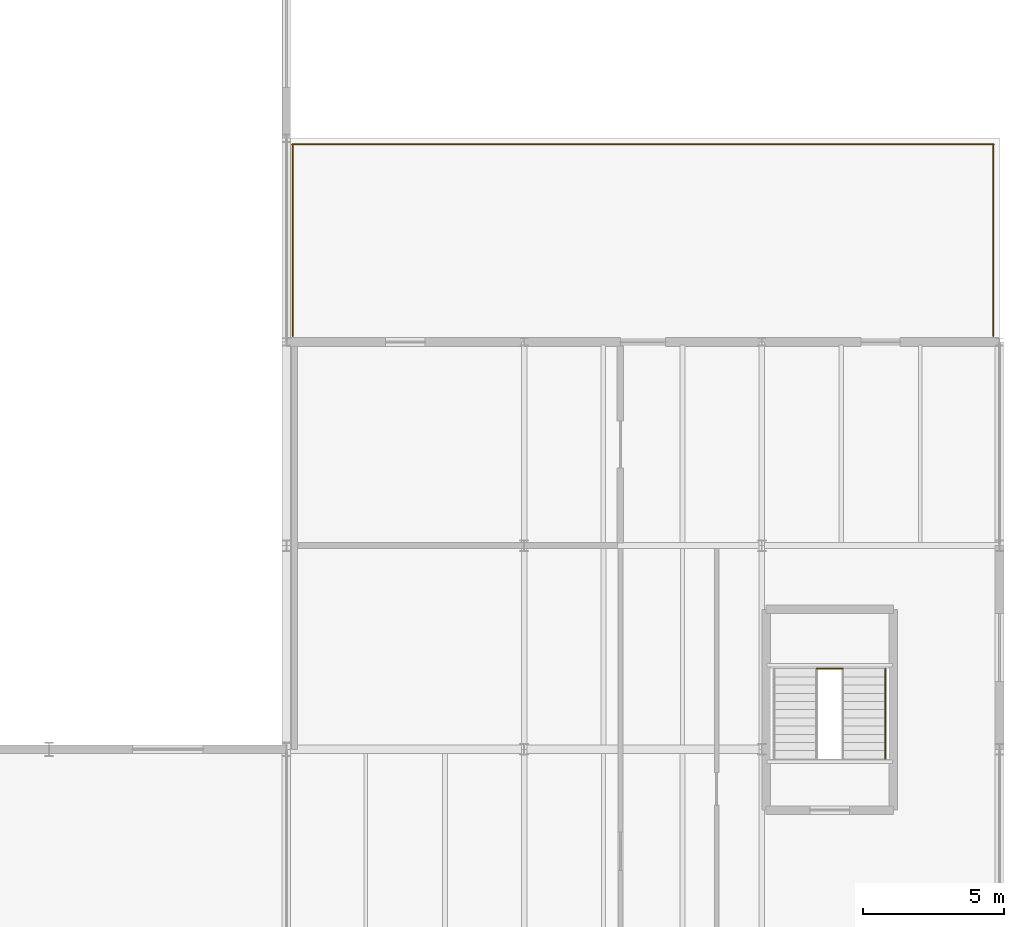
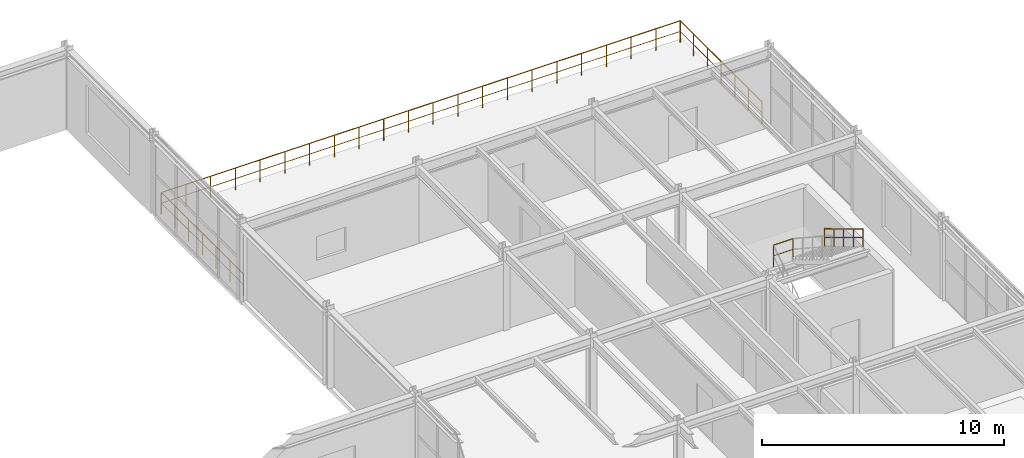
# One storey, part 73 of 73: 5 railings.
"""IFC4 building model written with IfcOpenShell, lengths in metres."""

from ifc_helpers import new_model, si_unit, derived_unit, direction, frame, origin, origin_2d, place, context, subcontext, project, spatial, circle, extrude, material, type_object, element, save


model = new_model("IFC4")

# Units and contexts
model_context = context("Model", 3, precision=1e-05, world=origin(), true_north=direction((0.0, 1.0)))
body_context = subcontext(model_context, "Body", "Model", "MODEL_VIEW")
ifc_project = project(units=[si_unit("LENGTHUNIT", "METRE"), si_unit("AREAUNIT", "SQUARE_METRE"), si_unit("VOLUMEUNIT", "CUBIC_METRE"), si_unit("PLANEANGLEUNIT", "RADIAN"), si_unit("MASSUNIT", "GRAM", prefix="KILO"), derived_unit("THERMALTRANSMITTANCEUNIT", [(si_unit("MASSUNIT", "GRAM", prefix="KILO"), 1), (si_unit("TIMEUNIT", "SECOND"), -3), (si_unit("THERMODYNAMICTEMPERATUREUNIT", "KELVIN"), -1)])], contexts=[model_context])

# Site, building, storey
site_placement = place(None, origin())
site = spatial("IfcSite", under=ifc_project, at=site_placement, CompositionType="ELEMENT")
building_placement = place(site_placement, origin())
building = spatial("IfcBuilding", under=site, at=building_placement, Name="Kharveza Railside Sports Centre", CompositionType="ELEMENT")
storey_placement = place(building_placement, frame((0.0, 0.0, 8.699951171875)))
storey = spatial("IfcBuildingStorey", under=building, at=storey_placement, Name="L02", CompositionType="ELEMENT", Elevation=8.699951171875)

# Railings
ifc_material = material(Name="Steel S275JR", Category="steel")
railing_type_1 = type_object("IfcRailingType", Name="RL-GD110", PredefinedType="GUARDRAIL", material=ifc_material)
railing_1_placement = place(storey_placement, frame((167.800048828125, 100.580078125, 0.0)))
element("IfcRailing", 1, at=railing_1_placement, inside=storey, type_object=railing_type_1, Name="RL-TERR-L02-03", PredefinedType="GUARDRAIL", context=body_context, shape_type="SweptSolid", body=[
    extrude(circle(Radius=0.02392578125, at=origin_2d()), frame((0.0, 0.0, 1.09619140625), z_axis=(-1.0, 0.0, 0.0), x_axis=(0.0, -1.0, 0.0)), (0.0, 0.0, 1.0), 24.800048828125),
    extrude(circle(Radius=0.01611328125, at=origin_2d()), frame((0.0, 0.0, 0.56005859375), z_axis=(-1.0, 0.0, 0.0), x_axis=(0.0, -1.0, 0.0)), (0.0, 0.0, 1.0), 24.800048828125),
    extrude(circle(Radius=0.02099609375, at=origin_2d()), origin(), (0.0, 0.0, 1.0), 1.072021484375),
    extrude(circle(Radius=0.02099609375, at=origin_2d()), frame((-1.180908203125, 0.0, 0.0)), (0.0, 0.0, 1.0), 1.072021484375),
    extrude(circle(Radius=0.02099609375, at=origin_2d()), frame((-2.36181640625, 0.0, 0.0)), (0.0, 0.0, 1.0), 1.072021484375),
    extrude(circle(Radius=0.02099609375, at=origin_2d()), frame((-3.54296875, 0.0, 0.0)), (0.0, 0.0, 1.0), 1.072021484375),
    extrude(circle(Radius=0.02099609375, at=origin_2d()), frame((-4.723876953125, 0.0, 0.0)), (0.0, 0.0, 1.0), 1.072021484375),
    extrude(circle(Radius=0.02099609375, at=origin_2d()), frame((-5.90478515625, 0.0, 0.0)), (0.0, 0.0, 1.0), 1.072021484375),
    extrude(circle(Radius=0.02099609375, at=origin_2d()), frame((-7.085693359375, 0.0, 0.0)), (0.0, 0.0, 1.0), 1.072021484375),
    extrude(circle(Radius=0.02099609375, at=origin_2d()), frame((-8.2666015625, 0.0, 0.0)), (0.0, 0.0, 1.0), 1.072021484375),
    extrude(circle(Radius=0.02099609375, at=origin_2d()), frame((-9.44775390625, 0.0, 0.0)), (0.0, 0.0, 1.0), 1.072021484375),
    extrude(circle(Radius=0.02099609375, at=origin_2d()), frame((-10.628662109375, 0.0, 0.0)), (0.0, 0.0, 1.0), 1.072021484375),
    extrude(circle(Radius=0.02099609375, at=origin_2d()), frame((-11.8095703125, 0.0, 0.0)), (0.0, 0.0, 1.0), 1.072021484375),
    extrude(circle(Radius=0.02099609375, at=origin_2d()), frame((-12.990478515625, 0.0, 0.0)), (0.0, 0.0, 1.0), 1.072021484375),
    extrude(circle(Radius=0.02099609375, at=origin_2d()), frame((-14.17138671875, 0.0, 0.0)), (0.0, 0.0, 1.0), 1.072021484375),
    extrude(circle(Radius=0.02099609375, at=origin_2d()), frame((-15.352294921875, 0.0, 0.0)), (0.0, 0.0, 1.0), 1.072021484375),
    extrude(circle(Radius=0.02099609375, at=origin_2d()), frame((-16.533447265625, 0.0, 0.0)), (0.0, 0.0, 1.0), 1.072021484375),
    extrude(circle(Radius=0.02099609375, at=origin_2d()), frame((-17.71435546875, 0.0, 0.0)), (0.0, 0.0, 1.0), 1.072021484375),
    extrude(circle(Radius=0.02099609375, at=origin_2d()), frame((-18.895263671875, 0.0, 0.0)), (0.0, 0.0, 1.0), 1.072021484375),
    extrude(circle(Radius=0.02099609375, at=origin_2d()), frame((-20.076171875, 0.0, 0.0)), (0.0, 0.0, 1.0), 1.072021484375),
    extrude(circle(Radius=0.02099609375, at=origin_2d()), frame((-21.257080078125, 0.0, 0.0)), (0.0, 0.0, 1.0), 1.072021484375),
    extrude(circle(Radius=0.02099609375, at=origin_2d()), frame((-22.438232421875, 0.0, 0.0)), (0.0, 0.0, 1.0), 1.072021484375),
    extrude(circle(Radius=0.02099609375, at=origin_2d()), frame((-23.619140625, 0.0, 0.0)), (0.0, 0.0, 1.0), 1.072021484375),
    extrude(circle(Radius=0.02099609375, at=origin_2d()), frame((-24.800048828125, 0.0, 0.0)), (0.0, 0.0, 1.0), 1.072021484375),
])
railing_2_placement = place(storey_placement, frame((143.02001953125, 100.60009765625, 0.0)))
element("IfcRailing", 2, at=railing_2_placement, inside=storey, type_object=railing_type_1, Name="RL-TERR-L02-04", PredefinedType="GUARDRAIL", context=body_context, shape_type="SweptSolid", body=[
    extrude(circle(Radius=0.02392578125, at=origin_2d()), frame((0.0, 0.0, 1.09619140625), z_axis=(0.0, -1.0, 0.0), x_axis=(1.0, 0.0, 0.0)), (0.0, 0.0, 1.0), 6.800048828125),
    extrude(circle(Radius=0.01611328125, at=origin_2d()), frame((0.0, 0.0, 0.56005859375), z_axis=(0.0, -1.0, 0.0), x_axis=(1.0, 0.0, 0.0)), (0.0, 0.0, 1.0), 6.800048828125),
    extrude(circle(Radius=0.02099609375, at=origin_2d()), origin(), (0.0, 0.0, 1.0), 1.072021484375),
    extrude(circle(Radius=0.02099609375, at=origin_2d()), frame((0.0, -1.13330078125, 0.0)), (0.0, 0.0, 1.0), 1.072021484375),
    extrude(circle(Radius=0.02099609375, at=origin_2d()), frame((0.0, -2.2666015625, 0.0)), (0.0, 0.0, 1.0), 1.072021484375),
    extrude(circle(Radius=0.02099609375, at=origin_2d()), frame((0.0, -3.39990234375, 0.0)), (0.0, 0.0, 1.0), 1.072021484375),
    extrude(circle(Radius=0.02099609375, at=origin_2d()), frame((0.0, -4.533447265625, 0.0)), (0.0, 0.0, 1.0), 1.072021484375),
    extrude(circle(Radius=0.02099609375, at=origin_2d()), frame((0.0, -5.666748046875, 0.0)), (0.0, 0.0, 1.0), 1.072021484375),
    extrude(circle(Radius=0.02099609375, at=origin_2d()), frame((0.0, -6.800048828125, 0.0)), (0.0, 0.0, 1.0), 1.072021484375),
])
railing_3_placement = place(storey_placement, frame((167.780029296875, 93.800048828125, 0.0)))
element("IfcRailing", 3, at=railing_3_placement, inside=storey, type_object=railing_type_1, Name="RL-TERR-L02-05", PredefinedType="GUARDRAIL", context=body_context, shape_type="SweptSolid", body=[
    extrude(circle(Radius=0.02392578125, at=origin_2d()), frame((0.0, 0.0, 1.09619140625), z_axis=(0.0, 1.0, 0.0), x_axis=(-1.0, 0.0, 0.0)), (0.0, 0.0, 1.0), 6.800048828125),
    extrude(circle(Radius=0.01611328125, at=origin_2d()), frame((0.0, 0.0, 0.56005859375), z_axis=(0.0, 1.0, 0.0), x_axis=(-1.0, 0.0, 0.0)), (0.0, 0.0, 1.0), 6.800048828125),
    extrude(circle(Radius=0.02099609375, at=origin_2d()), origin(), (0.0, 0.0, 1.0), 1.072021484375),
    extrude(circle(Radius=0.02099609375, at=origin_2d()), frame((0.0, 1.13330078125, 0.0)), (0.0, 0.0, 1.0), 1.072021484375),
    extrude(circle(Radius=0.02099609375, at=origin_2d()), frame((0.0, 2.2666015625, 0.0)), (0.0, 0.0, 1.0), 1.072021484375),
    extrude(circle(Radius=0.02099609375, at=origin_2d()), frame((0.0, 3.39990234375, 0.0)), (0.0, 0.0, 1.0), 1.072021484375),
    extrude(circle(Radius=0.02099609375, at=origin_2d()), frame((0.0, 4.533447265625, 0.0)), (0.0, 0.0, 1.0), 1.072021484375),
    extrude(circle(Radius=0.02099609375, at=origin_2d()), frame((0.0, 5.666748046875, 0.0)), (0.0, 0.0, 1.0), 1.072021484375),
    extrude(circle(Radius=0.02099609375, at=origin_2d()), frame((0.0, 6.800048828125, 0.0)), (0.0, 0.0, 1.0), 1.072021484375),
])
railing_4_placement = place(storey_placement, frame((161.530029296875, 82.050048828125, 2.10009765625)))
element("IfcRailing", 4, at=railing_4_placement, inside=storey, type_object=railing_type_1, Name="STR-ST4-L02-GDH", PredefinedType="GUARDRAIL", context=body_context, shape_type="SweptSolid", body=[
    extrude(circle(Radius=0.02392578125, at=origin_2d()), frame((0.0, 0.0, 1.09619140625), z_axis=(1.0, 0.0, 0.0), x_axis=(0.0, 1.0, 0.0)), (0.0, 0.0, 1.0), 0.93994140625),
    extrude(circle(Radius=0.01611328125, at=origin_2d()), frame((0.0, 0.0, 0.56005859375), z_axis=(1.0, 0.0, 0.0), x_axis=(0.0, 1.0, 0.0)), (0.0, 0.0, 1.0), 0.93994140625),
    extrude(circle(Radius=0.02099609375, at=origin_2d()), origin(), (0.0, 0.0, 1.0), 1.072021484375),
    extrude(circle(Radius=0.02099609375, at=origin_2d()), frame((0.93994140625, 0.0, 0.0)), (0.0, 0.0, 1.0), 1.072021484375),
])
railing_type_2 = type_object("IfcRailingType", Name="RL-HR092", PredefinedType="HANDRAIL", material=ifc_material)
railing_5_placement = place(storey_placement, frame((163.9599609375, 82.050048828125, 2.275146484375)))
element("IfcRailing", 5, at=railing_5_placement, inside=storey, type_object=railing_type_2, Name="STR-ST4-L02-HR2", PredefinedType="HANDRAIL", context=body_context, shape_type="SweptSolid", body=[
    extrude(circle(Radius=0.02392578125, at=origin_2d()), frame((0.0, 0.0, 0.89599609375), z_axis=(0.0, -0.856206652436, 0.516633495163), x_axis=(1.0, 0.0, 0.0)), (0.0, 0.0, 1.0), 3.7255859375),
    extrude(circle(Radius=0.01611328125, at=origin_2d()), frame((0.0, 0.0, 0.4599609375), z_axis=(0.0, -0.856206652436, 0.516633495163), x_axis=(1.0, 0.0, 0.0)), (0.0, 0.0, 1.0), 3.7255859375),
    extrude(circle(Radius=0.02099609375, at=origin_2d()), origin(), (0.0, 0.0, 1.0), 0.871826171875),
    extrude(circle(Radius=0.02099609375, at=origin_2d()), frame((0.0, -0.79736328125, 0.481201171875)), (0.0, 0.0, 1.0), 0.871826171875),
    extrude(circle(Radius=0.02099609375, at=origin_2d()), frame((0.0, -1.594970703125, 0.96240234375)), (0.0, 0.0, 1.0), 0.871826171875),
    extrude(circle(Radius=0.02099609375, at=origin_2d()), frame((0.0, -2.392578125, 1.443603515625)), (0.0, 0.0, 1.0), 0.871826171875),
    extrude(circle(Radius=0.02099609375, at=origin_2d()), frame((0.0, -3.18994140625, 1.9248046875)), (0.0, 0.0, 1.0), 0.871826171875),
])

save(model, "model.ifc")
